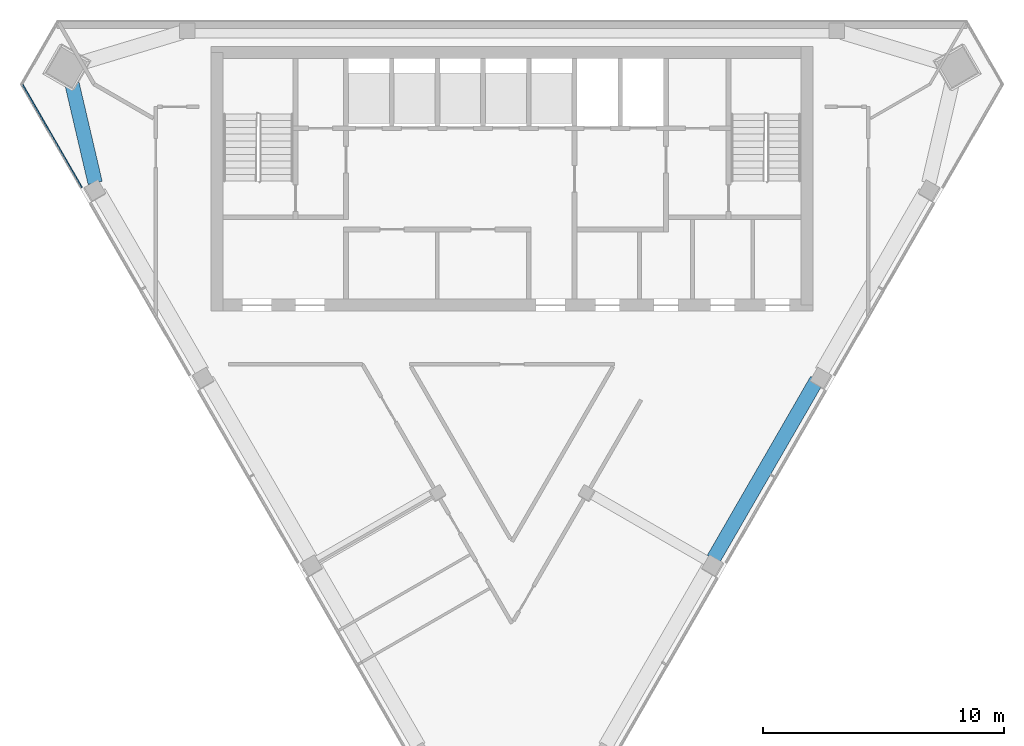
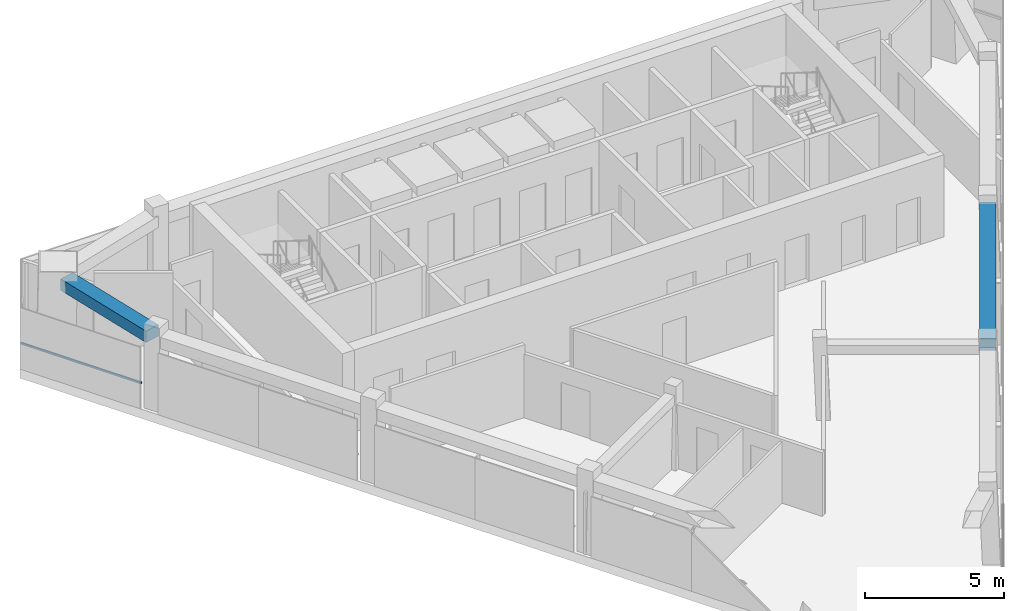
# One storey, part 3 of 9: 2 beams, 1 member, 1 element without a shape of its own.
"""IFC4 building model written with IfcOpenShell, lengths in metres."""

import ifcopenshell
import ifcopenshell.guid

model = None  # the IFC model being written
_history = None  # IfcOwnerHistory: only IFC2X3 demands one
_inside = {}  # id of a spatial element -> (the spatial element, [elements in it])
_under = {}  # id of a project, library or spatial element -> (it, [spatial elements below it])
_declared = {}  # id of a project -> (the project, [libraries it declares])
_typed = {}  # id of a type object -> (the type object, [elements of that type])
_made_of = {}  # id of a material, layer set ... -> (it, [elements and type objects made of it])


def new_model(schema):
    """Start an empty IFC model of exactly this schema.

    Asked for "IFC4X3", IfcOpenShell would pick the latest addendum, in which some entities
    have other attributes; the version numbers below select the first issue.
    IFC2X3 requires an IfcOwnerHistory on every rooted entity: one is made here for all.
    """
    global model, _history
    if schema == "IFC4X3":
        model = ifcopenshell.file(schema_version=(4, 3, 0, 0))
    else:
        model = ifcopenshell.file(schema=schema)
    _inside.clear()
    _under.clear()
    _declared.clear()
    _typed.clear()
    _made_of.clear()
    _history = None
    if model.schema == "IFC2X3":
        org = make("IfcOrganization", Name="unknown")
        user = make(
            "IfcPersonAndOrganization",
            ThePerson=make("IfcPerson", FamilyName="unknown"),
            TheOrganization=org,
        )
        app = make(
            "IfcApplication",
            ApplicationDeveloper=org,
            Version="unknown",
            ApplicationFullName="unknown",
            ApplicationIdentifier="unknown",
        )
        _history = make(
            "IfcOwnerHistory",
            OwningUser=user,
            OwningApplication=app,
            ChangeAction="ADDED",
            CreationDate=0,
        )
    return model


def make(cls, **values):
    """One entity of the class cls with the attributes given. An attribute that is None is left unset."""
    return model.create_entity(
        cls, **{name: value for name, value in values.items() if value is not None}
    )


def rooted(cls, **values):
    """An entity with a GlobalId (a new one), such as an element, a storey or a relation."""
    return make(cls, GlobalId=ifcopenshell.guid.new(), OwnerHistory=_history, **values)


def si_unit(unit_type, name, prefix=None):
    """IfcSIUnit, for example si_unit("LENGTHUNIT", "METRE", prefix="MILLI")."""
    return make("IfcSIUnit", UnitType=unit_type, Prefix=prefix, Name=name)


def assignment(units):
    """IfcUnitAssignment: the units of a project."""
    return None if units is None else make("IfcUnitAssignment", Units=units)


def point(xyz):
    """IfcCartesianPoint."""
    return None if xyz is None else make("IfcCartesianPoint", Coordinates=xyz)


def direction(xyz):
    """IfcDirection."""
    return None if xyz is None else make("IfcDirection", DirectionRatios=xyz)


def frame(location, z_axis=None, x_axis=None):
    """IfcAxis2Placement3D, a coordinate frame: its origin and axes. An axis left out is left unset."""
    return make(
        "IfcAxis2Placement3D",
        Location=point(location),
        Axis=direction(z_axis),
        RefDirection=direction(x_axis),
    )


def frame_2d(location, x_axis=None):
    """IfcAxis2Placement2D, a coordinate frame in the plane: its origin and x axis."""
    return make(
        "IfcAxis2Placement2D", Location=point(location), RefDirection=direction(x_axis)
    )


def origin():
    """The frame at (0, 0, 0) with its axes left unset."""
    return frame((0.0, 0.0, 0.0))


def origin_2d():
    """The frame at (0, 0) in the plane with its x axis left unset."""
    return frame_2d((0.0, 0.0))


def place(relative_to, where):
    """IfcLocalPlacement: puts the frame where relative to a parent placement (None: the world)."""
    return make(
        "IfcLocalPlacement", PlacementRelTo=relative_to, RelativePlacement=where
    )


def context(
    kind, dimensions, precision=None, world=None, true_north=None, identifier=None
):
    """IfcGeometricRepresentationContext, for example the 3D "Model" context."""
    return make(
        "IfcGeometricRepresentationContext",
        ContextIdentifier=identifier,
        ContextType=kind,
        CoordinateSpaceDimension=dimensions,
        Precision=precision,
        WorldCoordinateSystem=world,
        TrueNorth=true_north,
    )


def subcontext(parent, identifier, kind, view, scale=None):
    """IfcGeometricRepresentationSubContext, for example "Body" below "Model"."""
    return make(
        "IfcGeometricRepresentationSubContext",
        ContextIdentifier=identifier,
        ContextType=kind,
        ParentContext=parent,
        TargetScale=scale,
        TargetView=view,
    )


def project(units=None, contexts=None):
    """IfcProject with its units and contexts."""
    return rooted(
        "IfcProject",
        Name="project",
        RepresentationContexts=contexts,
        UnitsInContext=assignment(units),
    )


def spatial(cls, under=None, at=None, **own):
    """A site, building, storey or space (cls), placed at a placement, below another one or the project."""
    s = rooted(cls, ObjectPlacement=at, **own)
    if under is not None:
        _under.setdefault(under.id(), (under, []))[1].append(s)
    return s


def profile(cls, at=None, kind="AREA", **sizes):
    """A parametric profile (cls). Its sizes go by their IFC names, for example OverallWidth=200.0."""
    return make(cls, ProfileType=kind, Position=at, **sizes)


def rectangle(**sizes):
    """IfcRectangleProfileDef."""
    return profile("IfcRectangleProfileDef", **sizes)


def extrude(swept, where, along, depth):
    """IfcExtrudedAreaSolid: the profile swept, set in the frame where, extruded along a direction by depth."""
    return make(
        "IfcExtrudedAreaSolid",
        SweptArea=swept,
        Position=where,
        ExtrudedDirection=direction(along),
        Depth=depth,
    )


def shape(context_of_items, identifier, shape_type, items):
    """IfcShapeRepresentation: the items that make up one representation, for example the "Body"."""
    return make(
        "IfcShapeRepresentation",
        ContextOfItems=context_of_items,
        RepresentationIdentifier=identifier,
        RepresentationType=shape_type,
        Items=items,
    )


def material(Name=None, Category=None):
    """IfcMaterial."""
    return make("IfcMaterial", Name=Name, Category=Category)


def layer(
    of_material, thickness, ventilated=None, Name=None, Category=None, Priority=None
):
    """IfcMaterialLayer: one layer of a wall or slab, of a material (None: an air gap)."""
    return make(
        "IfcMaterialLayer",
        Material=of_material,
        LayerThickness=thickness,
        IsVentilated=ventilated,
        Name=Name,
        Category=Category,
        Priority=Priority,
    )


def layer_set(layers, Name=None):
    """IfcMaterialLayerSet."""
    return make("IfcMaterialLayerSet", MaterialLayers=layers, LayerSetName=Name)


def material_profile(
    of_material, cross_section, Name=None, Category=None, Priority=None
):
    """IfcMaterialProfile: a cross section and its material."""
    return make(
        "IfcMaterialProfile",
        Name=Name,
        Material=of_material,
        Profile=cross_section,
        Priority=Priority,
        Category=Category,
    )


def profile_set(profiles, Name=None, composite=None):
    """IfcMaterialProfileSet."""
    return make(
        "IfcMaterialProfileSet",
        Name=Name,
        MaterialProfiles=profiles,
        CompositeProfile=composite,
    )


def made_of(thing, what):
    """Note that an element or type object is made of a material, layer set ...; save() writes the relation."""
    if what is not None:
        _made_of.setdefault(what.id(), (what, []))[1].append(thing)
    return thing


def type_object(cls, material=None, **own):
    """A type object (cls), such as IfcWallType, which elements share."""
    return made_of(rooted(cls, **own), material)


def element(
    cls,
    number,
    at=None,
    inside=None,
    cuts=None,
    type_object=None,
    material=None,
    context=None,
    identifier="Body",
    shape_type=None,
    held_by="IfcProductDefinitionShape",
    body=None,
    shapes=None,
    **own,
):
    """One element of the class cls, such as IfcWall. Its Tag is "e" and its number.

    at: its placement. inside: the storey or other place that contains it. cuts: it is an
    opening in that element (IfcRelVoidsElement). A single representation is given by context,
    identifier, shape_type and body (its items); several are given by shapes. held_by: the class
    of the entity that holds the representations. save() writes the other relations.
    """
    e = rooted(cls, Tag="e%d" % number, ObjectPlacement=at, **own)
    if body is not None:
        shapes = [shape(context, identifier, shape_type, body)]
    if shapes is not None:
        e.Representation = make(held_by, Representations=shapes)
    if inside is not None:
        _inside.setdefault(inside.id(), (inside, []))[1].append(e)
    if cuts is not None:
        rooted(
            "IfcRelVoidsElement", RelatingBuildingElement=cuts, RelatedOpeningElement=e
        )
    if type_object is not None:
        _typed.setdefault(type_object.id(), (type_object, []))[1].append(e)
    return made_of(e, material)


def aggregate(whole, parts):
    """IfcRelAggregates: a whole, such as a stair, and the parts it consists of."""
    return rooted("IfcRelAggregates", RelatingObject=whole, RelatedObjects=parts)


def save(model, path):
    """Write the relations noted so far, then the file.

    IfcRelAggregates (storeys below a building ...), IfcRelContainedInSpatialStructure (elements
    in a storey), IfcRelDefinesByType, IfcRelAssociatesMaterial and IfcRelDeclares: one each for
    every whole, place, type object, material and project.
    """
    for whole, parts in _under.values():
        aggregate(whole, parts)
    for where, things in _inside.values():
        rooted(
            "IfcRelContainedInSpatialStructure",
            RelatedElements=things,
            RelatingStructure=where,
        )
    for kind, things in _typed.values():
        rooted("IfcRelDefinesByType", RelatedObjects=things, RelatingType=kind)
    for what, things in _made_of.values():
        rooted("IfcRelAssociatesMaterial", RelatedObjects=things, RelatingMaterial=what)
    for by, libraries in _declared.values():
        rooted("IfcRelDeclares", RelatingContext=by, RelatedDefinitions=libraries)
    model.write(path)


model = new_model("IFC4")

# Units and contexts
model_context = context("Model", 3, precision=1e-05, world=origin(), true_north=direction((0.0, 1.0)))
body_context = subcontext(model_context, "Body", "Model", "MODEL_VIEW")
ifc_project = project(units=[si_unit("LENGTHUNIT", "METRE"), si_unit("AREAUNIT", "SQUARE_METRE"), si_unit("VOLUMEUNIT", "CUBIC_METRE"), si_unit("PLANEANGLEUNIT", "RADIAN"), si_unit("MASSUNIT", "GRAM", prefix="KILO")], contexts=[model_context])

# Site, building, storey
site_placement = place(None, origin())
site = spatial("IfcSite", under=ifc_project, at=site_placement, CompositionType="ELEMENT")
building_placement = place(site_placement, origin())
building = spatial("IfcBuilding", under=site, at=building_placement, Name="Altiplano Prism Tower", CompositionType="ELEMENT")
storey_placement = place(building_placement, frame((0.0, 0.0, 350.800048828125)))
storey = spatial("IfcBuildingStorey", under=building, at=storey_placement, Name="L91", CompositionType="ELEMENT", Elevation=350.800048828125)

# Curtain wall, member
ifc_material_1 = material(Name="Aluminium and glass", Category="aluminium")
ifc_layer = layer(ifc_material_1, 0.303955078125)
ifc_layer_set = layer_set([ifc_layer], Name="Aluminium and glass")
curtain_wall_type = type_object("IfcCurtainWallType", Name="CW2 lounge-band unitised glazing", PredefinedType="NOTDEFINED", material=ifc_layer_set)
curtain_wall_placement = place(storey_placement, origin())
curtain_wall = element("IfcCurtainWall", 1, at=curtain_wall_placement, inside=storey, type_object=curtain_wall_type, Name="CW2 curtain wall south-west face L91", PredefinedType="NOTDEFINED")
ifc_material_2 = material(Name="Aluminium", Category="aluminium")
ifc_material_profile_1 = material_profile(ifc_material_2, rectangle(XDim=0.06005859375, YDim=0.080078125, at=origin_2d()), Name="CW2 transom 80 x 60")
ifc_profile_set_1 = profile_set([ifc_material_profile_1], Name="Aluminium")
member_type = type_object("IfcMemberType", Name="CW2 transom 80 x 60", PredefinedType="USERDEFINED", material=ifc_profile_set_1)
member_placement = place(storey_placement, frame((64.61865234375, 102.372314453125, 1.099853515625), z_axis=(0.500018185892, -0.8660149039, 0.0), x_axis=(0.8660149039, 0.500018185892, 0.0)))
member = element("IfcMember", 2, at=member_placement, type_object=member_type, Name="CW2 transom", ObjectType="TRANSOM", PredefinedType="USERDEFINED", context=body_context, shape_type="SweptSolid", body=[
    extrude(rectangle(XDim=0.06005859375, YDim=0.080078125, at=origin_2d()), origin(), (0.0, 0.0, 1.0), 5.002197265625),
])
aggregate(curtain_wall, [member])

# Beams
ifc_material_3 = material(Name="Concrete C60/75", Category="concrete")
ifc_material_profile_2 = material_profile(ifc_material_3, rectangle(XDim=0.60009765625, YDim=0.5, at=origin_2d()), Name="Edge beam 600x500")
ifc_profile_set_2 = profile_set([ifc_material_profile_2], Name="Concrete C60/75")
beam_type = type_object("IfcBeamType", Name="Edge beam 600x500", PredefinedType="SPANDREL", material=ifc_profile_set_2)
beam_1_placement = place(storey_placement, frame((66.654296875, 102.61279296875, 2.949951171875), z_axis=(0.227406245493, -0.973799979211, 0.0), x_axis=(0.973799979211, 0.227406245493, 0.0)))
element("IfcBeam", 3, at=beam_1_placement, inside=storey, type_object=beam_type, Name="Edge beam M0-P11 L92", PredefinedType="SPANDREL", context=body_context, shape_type="SweptSolid", body=[
    extrude(rectangle(XDim=0.60009765625, YDim=0.5, at=origin_2d()), origin(), (0.0, 0.0, 1.0), 4.50048828125),
])
beam_2_placement = place(storey_placement, frame((93.374755859375, 82.60546875, 2.949951171875), z_axis=(0.499990619765, 0.866030819398, 0.0), x_axis=(-0.866030819398, 0.499990619765, 0.0)))
element("IfcBeam", 4, at=beam_2_placement, inside=storey, type_object=beam_type, Name="Edge beam P22-P23 L92", PredefinedType="SPANDREL", context=body_context, shape_type="SweptSolid", body=[
    extrude(rectangle(XDim=0.60009765625, YDim=0.5, at=origin_2d()), origin(), (0.0, 0.0, 1.0), 8.590087890625),
])

save(model, "model.ifc")
